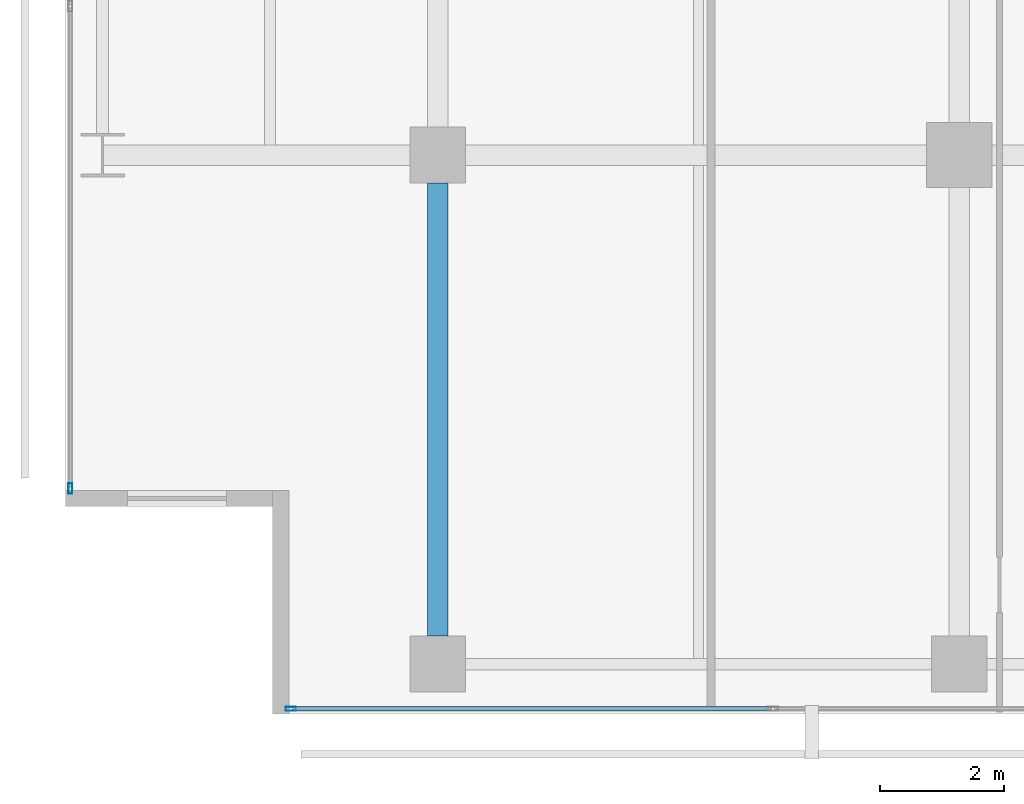
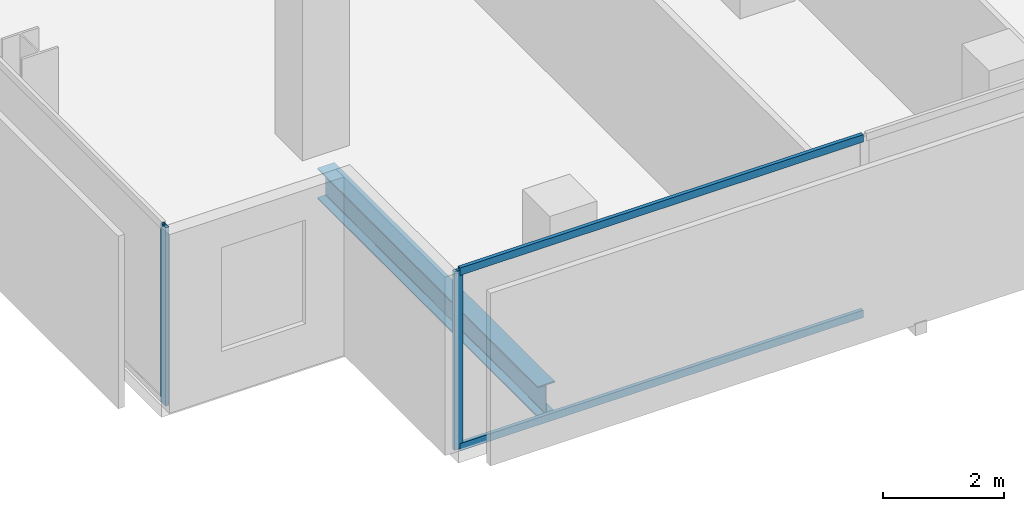
# One storey, part 2 of 40: 4 members, 1 beam, 2 elements without a shape of their own.
"""IFC4 building model written with IfcOpenShell, lengths in metres."""

from ifc_helpers import new_model, si_unit, direction, frame, origin, origin_2d, place, context, subcontext, project, spatial, hollow_rectangle, i_section, extrude, material, layer, layer_set, material_profile, profile_set, type_object, element, aggregate, save


model = new_model("IFC4")

# Units and contexts
model_context = context("Model", 3, precision=1e-05, world=origin(), true_north=direction((0.0, 1.0)))
body_context = subcontext(model_context, "Body", "Model", "MODEL_VIEW")
ifc_project = project(units=[si_unit("LENGTHUNIT", "METRE"), si_unit("AREAUNIT", "SQUARE_METRE"), si_unit("VOLUMEUNIT", "CUBIC_METRE"), si_unit("PLANEANGLEUNIT", "RADIAN"), si_unit("MASSUNIT", "GRAM", prefix="KILO")], contexts=[model_context])

# Site, building, storey
site_placement = place(None, origin())
site = spatial("IfcSite", under=ifc_project, at=site_placement, CompositionType="ELEMENT")
building_placement = place(site_placement, origin())
building = spatial("IfcBuilding", under=site, at=building_placement, Name="Maruvema Waterfront Hotel and Observation Tower", CompositionType="ELEMENT")
storey_placement = place(building_placement, frame((0.0, 0.0, 42.35009765625)))
storey = spatial("IfcBuildingStorey", under=building, at=storey_placement, Name="L09", CompositionType="ELEMENT", Elevation=42.35009765625)

# Curtain wall, members
ifc_material_1 = material(Name="Anodised bronze aluminium and solar-control low-E IGU", Category="aluminium")
ifc_layer = layer(ifc_material_1, 0.159912109375, Name="Zone 1 Bronze Inner Thermal Curtain Wall System CW-02")
ifc_layer_set = layer_set([ifc_layer], Name="Anodised bronze aluminium and solar-control low-E IGU")
curtain_wall_type = type_object("IfcCurtainWallType", Name="Zone 1 Bronze Inner Thermal Curtain Wall System CW-02", PredefinedType="USERDEFINED", material=ifc_layer_set)
curtain_wall_1_placement = place(storey_placement, origin())
curtain_wall_1 = element("IfcCurtainWall", 1, at=curtain_wall_1_placement, inside=storey, type_object=curtain_wall_type, Name="L09 Curtain Wall CW-L09-S", ObjectType="UNITISED CURTAIN WALL", PredefinedType="USERDEFINED")
ifc_material_2 = material(Name="Anodised architectural bronze aluminium", Category="aluminium")
ifc_material_profile_1 = material_profile(ifc_material_2, hollow_rectangle(XDim=0.070068359375, YDim=0.14990234375, WallThickness=0.00390625, at=origin_2d()), Name="ALU-T70x150")
ifc_profile_set_1 = profile_set([ifc_material_profile_1], Name="Anodised architectural bronze aluminium")
member_type_1 = type_object("IfcMemberType", Name="Curtain Wall Horizontal Transom ALU-T70x150", PredefinedType="USERDEFINED", material=ifc_profile_set_1)
member_1_placement = place(storey_placement, frame((14.4599609375, 0.080078125, 0.02978515625), z_axis=(1.0, 0.0, 0.0), x_axis=(0.0, 1.0, 0.0)))
member_1 = element("IfcMember", 2, at=member_1_placement, type_object=member_type_1, Name="CW-02 transom 1.1", ObjectType="TRANSOM", PredefinedType="USERDEFINED", context=body_context, shape_type="SweptSolid", body=[
    extrude(hollow_rectangle(XDim=0.070068359375, YDim=0.14990234375, WallThickness=0.00390625, at=origin_2d()), origin(), (0.0, 0.0, 1.0), 7.7099609375),
])
member_2_placement = place(storey_placement, frame((14.4599609375, 0.080078125, 3.579833984375), z_axis=(1.0, 0.0, 0.0), x_axis=(0.0, 1.0, 0.0)))
member_2 = element("IfcMember", 3, at=member_2_placement, type_object=member_type_1, Name="CW-02 transom 1.2", ObjectType="TRANSOM", PredefinedType="USERDEFINED", context=body_context, shape_type="SweptSolid", body=[
    extrude(hollow_rectangle(XDim=0.070068359375, YDim=0.14990234375, WallThickness=0.00390625, at=origin_2d()), origin(), (0.0, 0.0, 1.0), 7.7099609375),
])
ifc_material_3 = material(Name="Anodised architectural bronze aluminium", Category="aluminium")
ifc_material_profile_2 = material_profile(ifc_material_3, hollow_rectangle(XDim=0.06494140625, YDim=0.1650390625, WallThickness=0.00390625, at=origin_2d()), Name="ALU-M65x165")
ifc_profile_set_2 = profile_set([ifc_material_profile_2], Name="Anodised architectural bronze aluminium")
member_type_2 = type_object("IfcMemberType", Name="Curtain Wall Primary Mullion ALU-M65x165", PredefinedType="MULLION", material=ifc_profile_set_2)
member_3_placement = place(storey_placement, frame((14.429931640625, 0.080078125, 0.0), z_axis=(0.0, 0.0, 1.0), x_axis=(0.0, 1.0, 0.0)))
member_3 = element("IfcMember", 4, at=member_3_placement, type_object=member_type_2, Name="CW-02 mullion 1", PredefinedType="MULLION", context=body_context, shape_type="SweptSolid", body=[
    extrude(hollow_rectangle(XDim=0.06494140625, YDim=0.1650390625, WallThickness=0.00390625, at=origin_2d()), origin(), (0.0, 0.0, 1.0), 3.60986328125),
])
aggregate(curtain_wall_1, [member_3, member_1, member_2])

# Curtain wall, member
curtain_wall_2_placement = place(storey_placement, origin())
curtain_wall_2 = element("IfcCurtainWall", 5, at=curtain_wall_2_placement, inside=storey, type_object=curtain_wall_type, Name="L09 Curtain Wall CW-L09-W", ObjectType="UNITISED CURTAIN WALL", PredefinedType="USERDEFINED")
member_4_placement = place(storey_placement, frame((10.8798828125, 3.6298828125, 0.0), z_axis=(0.0, 0.0, 1.0), x_axis=(1.0, 0.0, 0.0)))
member_4 = element("IfcMember", 6, at=member_4_placement, type_object=member_type_2, Name="CW-02 mullion 7", PredefinedType="MULLION", context=body_context, shape_type="SweptSolid", body=[
    extrude(hollow_rectangle(XDim=0.06494140625, YDim=0.1650390625, WallThickness=0.00390625, at=origin_2d()), origin(), (0.0, 0.0, 1.0), 3.60986328125),
])
aggregate(curtain_wall_2, [member_4])

# Beam
ifc_material_4 = material(Name="Steel ASTM A572 Grade 50", Category="steel")
ifc_material_profile_3 = material_profile(ifc_material_4, i_section(OverallWidth=0.326904296875, OverallDepth=0.6220703125, WebThickness=0.015380859375, FlangeThickness=0.0244140625, FilletRadius=0.01806640625, at=origin_2d()), Name="W610x195.0")
ifc_profile_set_3 = profile_set([ifc_material_profile_3], Name="Steel ASTM A572 Grade 50")
beam_type = type_object("IfcBeamType", Name="Primary Floor Girder W610x195.0", PredefinedType="BEAM", material=ifc_profile_set_3)
beam_placement = place(storey_placement, frame((16.800048828125, 1.25, -0.551025390625), z_axis=(0.0, 1.0, 0.0), x_axis=(-1.0, 0.0, 0.0)))
element("IfcBeam", 7, at=beam_placement, inside=storey, type_object=beam_type, Name="L09 Floor Girder NS-05", PredefinedType="BEAM", context=body_context, shape_type="SweptSolid", body=[
    extrude(i_section(OverallWidth=0.326904296875, OverallDepth=0.6220703125, WebThickness=0.015380859375, FlangeThickness=0.0244140625, FilletRadius=0.01806640625, at=origin_2d()), origin(), (0.0, 0.0, 1.0), 7.300048828125),
])

save(model, "model.ifc")
